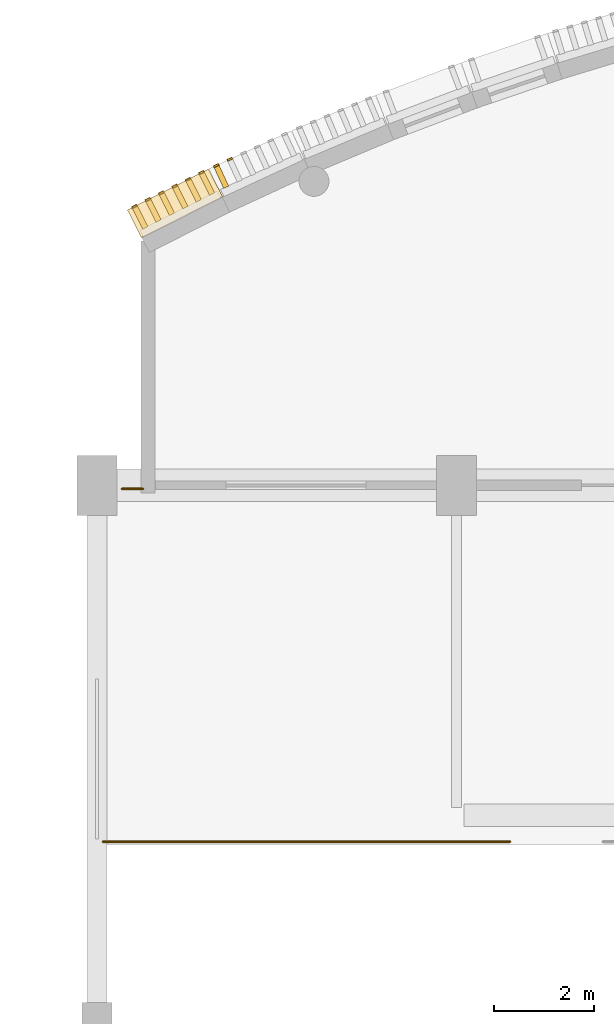
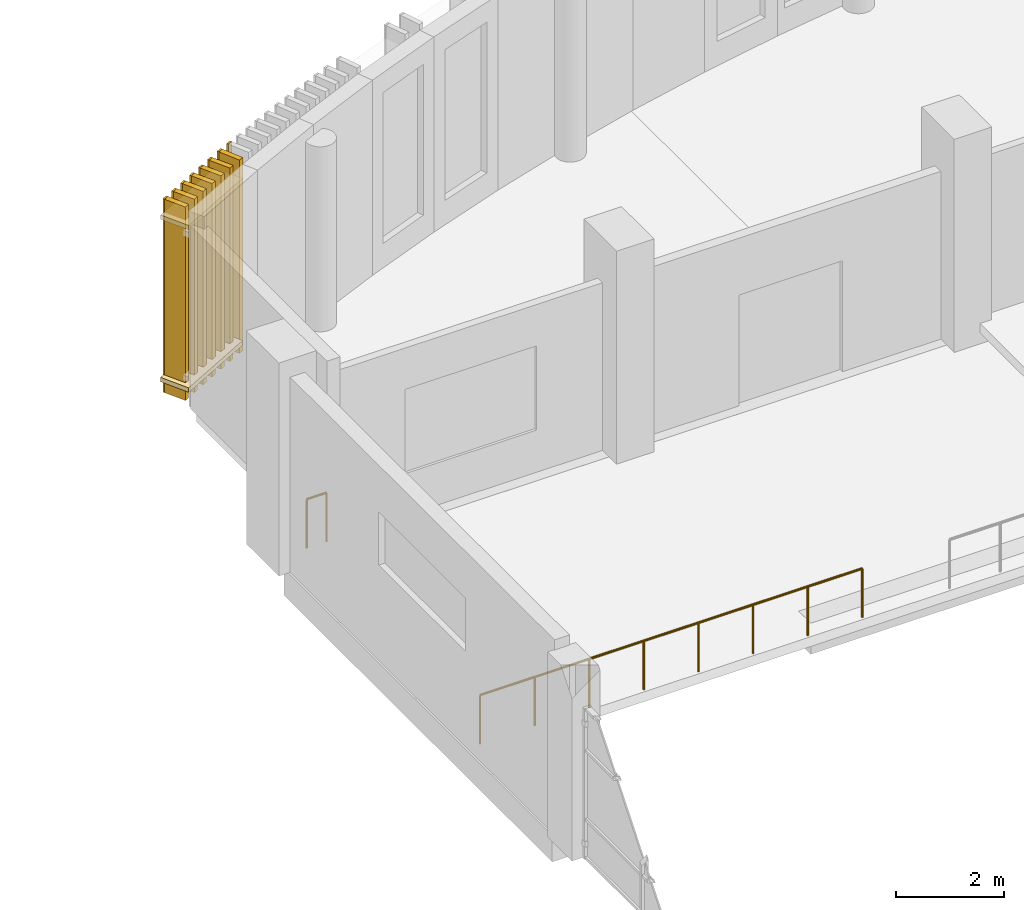
# One storey, part 63 of 71: 10 coverings, 7 shading devices, 2 railings.
"""IFC4 building model written with IfcOpenShell, lengths in metres."""

import ifcopenshell
import ifcopenshell.guid

model = None  # the IFC model being written
_history = None  # IfcOwnerHistory: only IFC2X3 demands one
_inside = {}  # id of a spatial element -> (the spatial element, [elements in it])
_under = {}  # id of a project, library or spatial element -> (it, [spatial elements below it])
_declared = {}  # id of a project -> (the project, [libraries it declares])
_typed = {}  # id of a type object -> (the type object, [elements of that type])
_made_of = {}  # id of a material, layer set ... -> (it, [elements and type objects made of it])


def new_model(schema):
    """Start an empty IFC model of exactly this schema.

    Asked for "IFC4X3", IfcOpenShell would pick the latest addendum, in which some entities
    have other attributes; the version numbers below select the first issue.
    IFC2X3 requires an IfcOwnerHistory on every rooted entity: one is made here for all.
    """
    global model, _history
    if schema == "IFC4X3":
        model = ifcopenshell.file(schema_version=(4, 3, 0, 0))
    else:
        model = ifcopenshell.file(schema=schema)
    _inside.clear()
    _under.clear()
    _declared.clear()
    _typed.clear()
    _made_of.clear()
    _history = None
    if model.schema == "IFC2X3":
        org = make("IfcOrganization", Name="unknown")
        user = make(
            "IfcPersonAndOrganization",
            ThePerson=make("IfcPerson", FamilyName="unknown"),
            TheOrganization=org,
        )
        app = make(
            "IfcApplication",
            ApplicationDeveloper=org,
            Version="unknown",
            ApplicationFullName="unknown",
            ApplicationIdentifier="unknown",
        )
        _history = make(
            "IfcOwnerHistory",
            OwningUser=user,
            OwningApplication=app,
            ChangeAction="ADDED",
            CreationDate=0,
        )
    return model


def make(cls, **values):
    """One entity of the class cls with the attributes given. An attribute that is None is left unset."""
    return model.create_entity(
        cls, **{name: value for name, value in values.items() if value is not None}
    )


def rooted(cls, **values):
    """An entity with a GlobalId (a new one), such as an element, a storey or a relation."""
    return make(cls, GlobalId=ifcopenshell.guid.new(), OwnerHistory=_history, **values)


def si_unit(unit_type, name, prefix=None):
    """IfcSIUnit, for example si_unit("LENGTHUNIT", "METRE", prefix="MILLI")."""
    return make("IfcSIUnit", UnitType=unit_type, Prefix=prefix, Name=name)


def assignment(units):
    """IfcUnitAssignment: the units of a project."""
    return None if units is None else make("IfcUnitAssignment", Units=units)


def point(xyz):
    """IfcCartesianPoint."""
    return None if xyz is None else make("IfcCartesianPoint", Coordinates=xyz)


def direction(xyz):
    """IfcDirection."""
    return None if xyz is None else make("IfcDirection", DirectionRatios=xyz)


def frame(location, z_axis=None, x_axis=None):
    """IfcAxis2Placement3D, a coordinate frame: its origin and axes. An axis left out is left unset."""
    return make(
        "IfcAxis2Placement3D",
        Location=point(location),
        Axis=direction(z_axis),
        RefDirection=direction(x_axis),
    )


def frame_2d(location, x_axis=None):
    """IfcAxis2Placement2D, a coordinate frame in the plane: its origin and x axis."""
    return make(
        "IfcAxis2Placement2D", Location=point(location), RefDirection=direction(x_axis)
    )


def origin():
    """The frame at (0, 0, 0) with its axes left unset."""
    return frame((0.0, 0.0, 0.0))


def origin_2d():
    """The frame at (0, 0) in the plane with its x axis left unset."""
    return frame_2d((0.0, 0.0))


def place(relative_to, where):
    """IfcLocalPlacement: puts the frame where relative to a parent placement (None: the world)."""
    return make(
        "IfcLocalPlacement", PlacementRelTo=relative_to, RelativePlacement=where
    )


def context(
    kind, dimensions, precision=None, world=None, true_north=None, identifier=None
):
    """IfcGeometricRepresentationContext, for example the 3D "Model" context."""
    return make(
        "IfcGeometricRepresentationContext",
        ContextIdentifier=identifier,
        ContextType=kind,
        CoordinateSpaceDimension=dimensions,
        Precision=precision,
        WorldCoordinateSystem=world,
        TrueNorth=true_north,
    )


def subcontext(parent, identifier, kind, view, scale=None):
    """IfcGeometricRepresentationSubContext, for example "Body" below "Model"."""
    return make(
        "IfcGeometricRepresentationSubContext",
        ContextIdentifier=identifier,
        ContextType=kind,
        ParentContext=parent,
        TargetScale=scale,
        TargetView=view,
    )


def project(units=None, contexts=None):
    """IfcProject with its units and contexts."""
    return rooted(
        "IfcProject",
        Name="project",
        RepresentationContexts=contexts,
        UnitsInContext=assignment(units),
    )


def spatial(cls, under=None, at=None, **own):
    """A site, building, storey or space (cls), placed at a placement, below another one or the project."""
    s = rooted(cls, ObjectPlacement=at, **own)
    if under is not None:
        _under.setdefault(under.id(), (under, []))[1].append(s)
    return s


def profile(cls, at=None, kind="AREA", **sizes):
    """A parametric profile (cls). Its sizes go by their IFC names, for example OverallWidth=200.0."""
    return make(cls, ProfileType=kind, Position=at, **sizes)


def rectangle(**sizes):
    """IfcRectangleProfileDef."""
    return profile("IfcRectangleProfileDef", **sizes)


def circle(**sizes):
    """IfcCircleProfileDef."""
    return profile("IfcCircleProfileDef", **sizes)


def extrude(swept, where, along, depth):
    """IfcExtrudedAreaSolid: the profile swept, set in the frame where, extruded along a direction by depth."""
    return make(
        "IfcExtrudedAreaSolid",
        SweptArea=swept,
        Position=where,
        ExtrudedDirection=direction(along),
        Depth=depth,
    )


def shape(context_of_items, identifier, shape_type, items):
    """IfcShapeRepresentation: the items that make up one representation, for example the "Body"."""
    return make(
        "IfcShapeRepresentation",
        ContextOfItems=context_of_items,
        RepresentationIdentifier=identifier,
        RepresentationType=shape_type,
        Items=items,
    )


def material(Name=None, Category=None):
    """IfcMaterial."""
    return make("IfcMaterial", Name=Name, Category=Category)


def layer(
    of_material, thickness, ventilated=None, Name=None, Category=None, Priority=None
):
    """IfcMaterialLayer: one layer of a wall or slab, of a material (None: an air gap)."""
    return make(
        "IfcMaterialLayer",
        Material=of_material,
        LayerThickness=thickness,
        IsVentilated=ventilated,
        Name=Name,
        Category=Category,
        Priority=Priority,
    )


def layer_set(layers, Name=None):
    """IfcMaterialLayerSet."""
    return make("IfcMaterialLayerSet", MaterialLayers=layers, LayerSetName=Name)


def made_of(thing, what):
    """Note that an element or type object is made of a material, layer set ...; save() writes the relation."""
    if what is not None:
        _made_of.setdefault(what.id(), (what, []))[1].append(thing)
    return thing


def type_object(cls, material=None, **own):
    """A type object (cls), such as IfcWallType, which elements share."""
    return made_of(rooted(cls, **own), material)


def element(
    cls,
    number,
    at=None,
    inside=None,
    cuts=None,
    type_object=None,
    material=None,
    context=None,
    identifier="Body",
    shape_type=None,
    held_by="IfcProductDefinitionShape",
    body=None,
    shapes=None,
    **own,
):
    """One element of the class cls, such as IfcWall. Its Tag is "e" and its number.

    at: its placement. inside: the storey or other place that contains it. cuts: it is an
    opening in that element (IfcRelVoidsElement). A single representation is given by context,
    identifier, shape_type and body (its items); several are given by shapes. held_by: the class
    of the entity that holds the representations. save() writes the other relations.
    """
    e = rooted(cls, Tag="e%d" % number, ObjectPlacement=at, **own)
    if body is not None:
        shapes = [shape(context, identifier, shape_type, body)]
    if shapes is not None:
        e.Representation = make(held_by, Representations=shapes)
    if inside is not None:
        _inside.setdefault(inside.id(), (inside, []))[1].append(e)
    if cuts is not None:
        rooted(
            "IfcRelVoidsElement", RelatingBuildingElement=cuts, RelatedOpeningElement=e
        )
    if type_object is not None:
        _typed.setdefault(type_object.id(), (type_object, []))[1].append(e)
    return made_of(e, material)


def aggregate(whole, parts):
    """IfcRelAggregates: a whole, such as a stair, and the parts it consists of."""
    return rooted("IfcRelAggregates", RelatingObject=whole, RelatedObjects=parts)


def save(model, path):
    """Write the relations noted so far, then the file.

    IfcRelAggregates (storeys below a building ...), IfcRelContainedInSpatialStructure (elements
    in a storey), IfcRelDefinesByType, IfcRelAssociatesMaterial and IfcRelDeclares: one each for
    every whole, place, type object, material and project.
    """
    for whole, parts in _under.values():
        aggregate(whole, parts)
    for where, things in _inside.values():
        rooted(
            "IfcRelContainedInSpatialStructure",
            RelatedElements=things,
            RelatingStructure=where,
        )
    for kind, things in _typed.values():
        rooted("IfcRelDefinesByType", RelatedObjects=things, RelatingType=kind)
    for what, things in _made_of.values():
        rooted("IfcRelAssociatesMaterial", RelatedObjects=things, RelatingMaterial=what)
    for by, libraries in _declared.values():
        rooted("IfcRelDeclares", RelatingContext=by, RelatedDefinitions=libraries)
    model.write(path)


model = new_model("IFC4")

# Units and contexts
model_context = context("Model", 3, precision=1e-05, world=origin(), true_north=direction((0.0, 1.0)))
body_context = subcontext(model_context, "Body", "Model", "MODEL_VIEW")
ifc_project = project(units=[si_unit("LENGTHUNIT", "METRE"), si_unit("AREAUNIT", "SQUARE_METRE"), si_unit("VOLUMEUNIT", "CUBIC_METRE"), si_unit("PLANEANGLEUNIT", "RADIAN"), si_unit("MASSUNIT", "GRAM", prefix="KILO")], contexts=[model_context])

# Site, building, storey
site_placement = place(None, origin())
site = spatial("IfcSite", under=ifc_project, at=site_placement, CompositionType="ELEMENT")
building_placement = place(site_placement, origin())
building = spatial("IfcBuilding", under=site, at=building_placement, Name="Sardonyx Promenade Sports Hall", CompositionType="ELEMENT")
storey_placement = place(building_placement, frame((0.0, 0.0, 16.0)))
storey = spatial("IfcBuildingStorey", under=building, at=storey_placement, Name="L03", CompositionType="ELEMENT", Elevation=16.0)

# Coverings
ifc_material_1 = material(Name="Glulam GL28h", Category="wood")
ifc_layer = layer(ifc_material_1, 0.110107421875)
ifc_layer_set = layer_set([ifc_layer], Name="Cov_Louvre_GL28h")
covering_type = type_object("IfcCoveringType", Name="Cov_Louvre_GL28h", PredefinedType="MOLDING", material=ifc_layer_set)
for number, where, z_axis, x_axis, name in (
    (1, (30.361083984375, 110.0458984375, 0.320068359375), (0.0, 0.0, 1.0), (0.892773817004, 0.450505173857, 0.0), "Bowed louvre carrier rail L03 CH01 #1"),
    (2, (30.361083984375, 110.0458984375, 3.97998046875), (0.0, 0.0, 1.0), (0.892773817004, 0.450505173857, 0.0), "Bowed louvre carrier rail L03 CH01 #2"),
):
    element("IfcCovering", number, at=place(storey_placement, frame(where, z_axis=z_axis, x_axis=x_axis)), inside=storey, type_object=covering_type, Name=name, PredefinedType="MOLDING", context=body_context, shape_type="SweptSolid", body=[
        extrude(rectangle(XDim=1.820068359375, YDim=0.6201171875, at=origin_2d()), origin(), (0.0, 0.0, 1.0), 0.10009765625),
    ])
for number, where, z_axis, x_axis, name in (
    (3, (29.5517578125, 109.984619140625, 0.02001953125), (0.0, 0.0, 1.0), (0.892773817004, 0.450505173857, 0.0), "Timber louvre nose molding L03 CH01 #1"),
    (4, (29.819580078125, 110.119873046875, 0.02001953125), (0.0, 0.0, 1.0), (0.892773817004, 0.450505173857, 0.0), "Timber louvre nose molding L03 CH01 #2"),
    (5, (30.08740234375, 110.2548828125, 0.02001953125), (0.0, 0.0, 1.0), (0.892773817004, 0.450505173857, 0.0), "Timber louvre nose molding L03 CH01 #3"),
    (6, (30.355224609375, 110.39013671875, 0.02001953125), (0.0, 0.0, 1.0), (0.892773817004, 0.450505173857, 0.0), "Timber louvre nose molding L03 CH01 #4"),
    (7, (30.623046875, 110.525390625, 0.02001953125), (0.0, 0.0, 1.0), (0.892773817004, 0.450505173857, 0.0), "Timber louvre nose molding L03 CH01 #5"),
    (8, (30.890869140625, 110.660400390625, 0.02001953125), (0.0, 0.0, 1.0), (0.892773817004, 0.450505173857, 0.0), "Timber louvre nose molding L03 CH01 #6"),
    (9, (31.185546875, 110.802734375, 0.02001953125), (0.0, 0.0, 1.0), (0.90783091315, 0.419336419989, 0.0), "Timber louvre nose molding L03 CH02 #1"),
    (10, (31.4580078125, 110.9287109375, 0.02001953125), (0.0, 0.0, 1.0), (0.90783091315, 0.419336419989, 0.0), "Timber louvre nose molding L03 CH02 #2"),
):
    element("IfcCovering", number, at=place(storey_placement, frame(where, z_axis=z_axis, x_axis=x_axis)), inside=storey, type_object=covering_type, Name=name, PredefinedType="MOLDING", context=body_context, shape_type="SweptSolid", body=[
        extrude(rectangle(XDim=0.110107421875, YDim=0.0400390625, at=origin_2d()), origin(), (0.0, 0.0, 1.0), 4.360107421875),
    ])

# Railings
ifc_material_2 = material(Name="Powder-coated Steel S355JR", Category="steel")
railing_type = type_object("IfcRailingType", Name="Rail_Int_Guard_1100", PredefinedType="GUARDRAIL", material=ifc_material_2)
railing_1_placement = place(storey_placement, frame((29.7236328125, 104.330078125, 0.0)))
element("IfcRailing", 11, at=railing_1_placement, inside=storey, type_object=railing_type, Name="Deck-edge guardrail GR02 L03 #67", PredefinedType="GUARDRAIL", context=body_context, shape_type="SweptSolid", body=[
    extrude(circle(Radius=0.02392578125, at=origin_2d()), frame((0.0, 0.0, 1.09619140625), z_axis=(-1.0, 0.0, 0.0), x_axis=(0.0, -1.0, 0.0)), (0.0, 0.0, 1.0), 0.423583984375),
    extrude(circle(Radius=0.02099609375, at=origin_2d()), origin(), (0.0, 0.0, 1.0), 1.072021484375),
    extrude(circle(Radius=0.02099609375, at=origin_2d()), frame((-0.423583984375, 0.0, 0.0)), (0.0, 0.0, 1.0), 1.072021484375),
])
railing_2_placement = place(storey_placement, frame((28.919921875, 97.27001953125, 0.0)))
element("IfcRailing", 12, at=railing_2_placement, inside=storey, type_object=railing_type, Name="Deck-edge guardrail GR02 L03 #68", PredefinedType="GUARDRAIL", context=body_context, shape_type="SweptSolid", body=[
    extrude(circle(Radius=0.02392578125, at=origin_2d()), frame((0.0, 0.0, 1.09619140625), z_axis=(1.0, 0.0, 0.0), x_axis=(0.0, 1.0, 0.0)), (0.0, 0.0, 1.0), 8.150146484375),
    extrude(circle(Radius=0.02099609375, at=origin_2d()), origin(), (0.0, 0.0, 1.0), 1.072021484375),
    extrude(circle(Radius=0.02099609375, at=origin_2d()), frame((1.164306640625, 0.0, 0.0)), (0.0, 0.0, 1.0), 1.072021484375),
    extrude(circle(Radius=0.02099609375, at=origin_2d()), frame((2.32861328125, 0.0, 0.0)), (0.0, 0.0, 1.0), 1.072021484375),
    extrude(circle(Radius=0.02099609375, at=origin_2d()), frame((3.492919921875, 0.0, 0.0)), (0.0, 0.0, 1.0), 1.072021484375),
    extrude(circle(Radius=0.02099609375, at=origin_2d()), frame((4.6572265625, 0.0, 0.0)), (0.0, 0.0, 1.0), 1.072021484375),
    extrude(circle(Radius=0.02099609375, at=origin_2d()), frame((5.821533203125, 0.0, 0.0)), (0.0, 0.0, 1.0), 1.072021484375),
    extrude(circle(Radius=0.02099609375, at=origin_2d()), frame((6.98583984375, 0.0, 0.0)), (0.0, 0.0, 1.0), 1.072021484375),
    extrude(circle(Radius=0.02099609375, at=origin_2d()), frame((8.150146484375, 0.0, 0.0)), (0.0, 0.0, 1.0), 1.072021484375),
])

# Shading devices
ifc_material_3 = material(Name="Glulam GL28h", Category="wood")
shading_device_type = type_object("IfcShadingDeviceType", Name="Shade_Louvre_GL28h", PredefinedType="USERDEFINED", material=ifc_material_3)
for number, where, z_axis, x_axis, name in (
    (13, (29.66439, 109.761506, 0.02), (0.0, 0.0, 1.0), (0.89277382, 0.45050517, 0.0), "Timber louvre TL01 L03 CH01 #1"),
    (14, (29.932223, 109.896657, 0.02), (0.0, 0.0, 1.0), (0.89277382, 0.45050517, 0.0), "Timber louvre TL01 L03 CH01 #2"),
    (15, (30.200055, 110.031809, 0.02), (0.0, 0.0, 1.0), (0.89277382, 0.45050517, 0.0), "Timber louvre TL01 L03 CH01 #3"),
    (16, (30.467887, 110.16696, 0.02), (0.0, 0.0, 1.0), (0.89277382, 0.45050517, 0.0), "Timber louvre TL01 L03 CH01 #4"),
    (17, (30.735719, 110.302112, 0.02), (0.0, 0.0, 1.0), (0.89277382, 0.45050517, 0.0), "Timber louvre TL01 L03 CH01 #5"),
    (18, (31.003551, 110.437263, 0.02), (0.0, 0.0, 1.0), (0.89277382, 0.45050517, 0.0), "Timber louvre TL01 L03 CH01 #6"),
    (19, (31.290473, 110.57587, 0.02), (0.0, 0.0, 1.0), (0.90783091, 0.41933642, 0.0), "Timber louvre TL01 L03 CH02 #1"),
):
    element("IfcShadingDevice", number, at=place(storey_placement, frame(where, z_axis=z_axis, x_axis=x_axis)), inside=storey, type_object=shading_device_type, material=ifc_material_3, Name=name, ObjectType="LOUVRE", PredefinedType="USERDEFINED", context=body_context, shape_type="SweptSolid", body=[
        extrude(rectangle(XDim=0.11, YDim=0.46), origin(), (0.0, 0.0, 1.0), 4.36),
    ])

save(model, "model.ifc")
